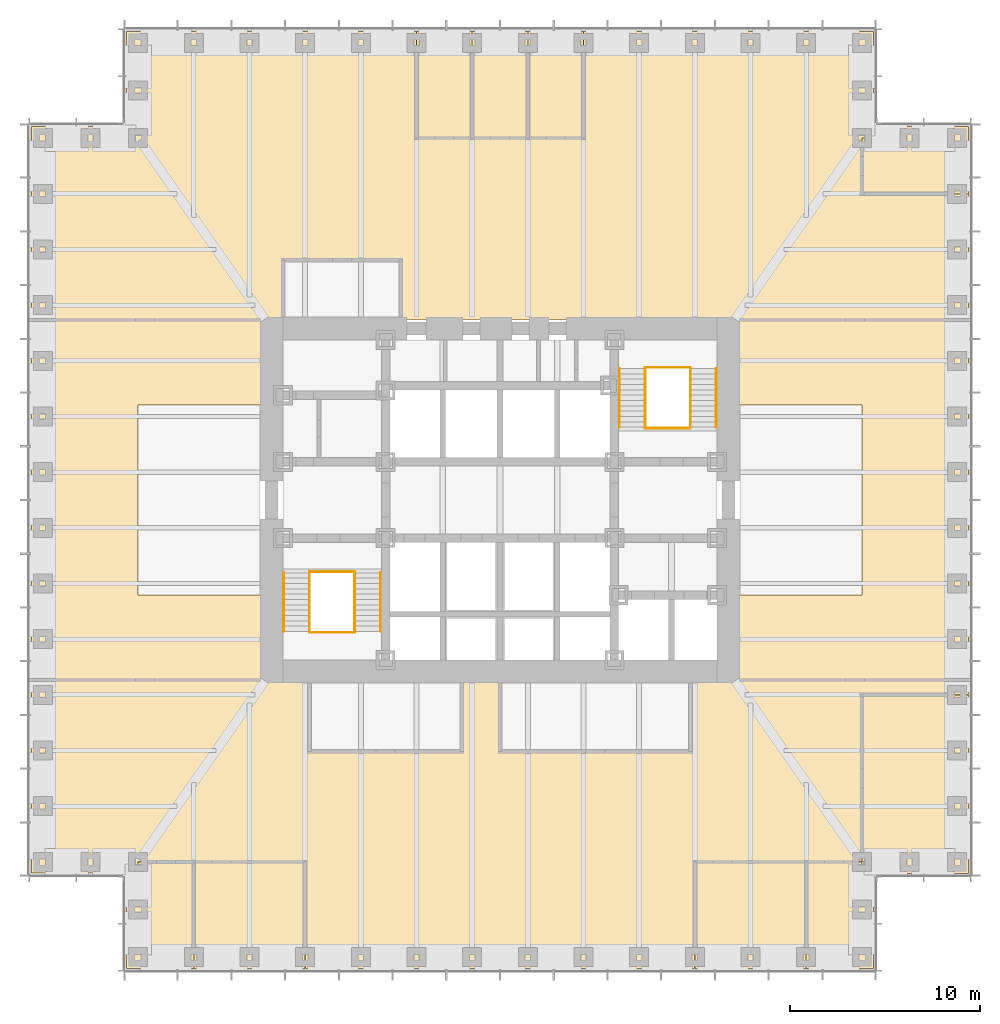
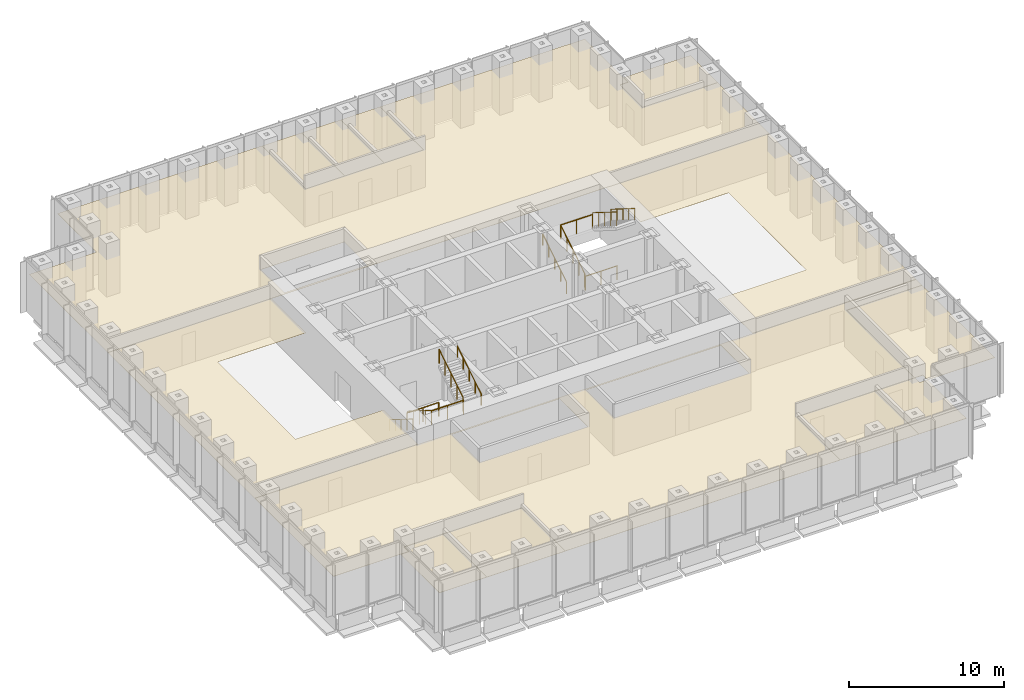
# One storey, part 16 of 16: 13 coverings, 12 railings.
"""IFC4 building model written with IfcOpenShell, lengths in metres."""

from ifc_helpers import new_model, si_unit, direction, frame, origin, origin_2d, place, context, subcontext, project, spatial, polyline, circle, outline, extrude, material, layer, layer_set, type_object, element, save


model = new_model("IFC4")

# Units and contexts
model_context = context("Model", 3, precision=1e-05, world=origin(), true_north=direction((0.0, 1.0)))
body_context = subcontext(model_context, "Body", "Model", "MODEL_VIEW")
ifc_project = project(units=[si_unit("LENGTHUNIT", "METRE"), si_unit("AREAUNIT", "SQUARE_METRE"), si_unit("VOLUMEUNIT", "CUBIC_METRE"), si_unit("PLANEANGLEUNIT", "RADIAN"), si_unit("MASSUNIT", "GRAM", prefix="KILO")], contexts=[model_context])

# Site, building, storey
site_placement = place(None, origin())
site = spatial("IfcSite", under=ifc_project, at=site_placement, CompositionType="ELEMENT")
building_placement = place(site_placement, origin())
building = spatial("IfcBuilding", under=site, at=building_placement, Name="Daluyong Arena Tower", CompositionType="ELEMENT")
storey_placement = place(building_placement, frame((0.0, 0.0, 39.10009765625)))
storey = spatial("IfcBuildingStorey", under=building, at=storey_placement, Name="L07", CompositionType="ELEMENT", Elevation=39.10009765625)

# Coverings
ifc_material_1 = material(Name="Mineral fibre ceiling tile", Category="gypsum board")
ifc_layer = layer(ifc_material_1, 0.02001953125)
ifc_layer_set = layer_set([ifc_layer], Name="Mineral fibre ceiling tile")
covering_type = type_object("IfcCoveringType", Name="Office ceiling", PredefinedType="CEILING", material=ifc_layer_set)
covering_1_placement = place(storey_placement, frame((0.0, 0.0, 2.89990234375)))
element("IfcCovering", 1, at=covering_1_placement, inside=storey, type_object=covering_type, Name="ceiling L07-01", PredefinedType="CEILING", context=body_context, shape_type="SweptSolid", body=[
    extrude(outline(polyline([(36.39990234375, 60.39990234375), (36.39990234375, 55.39990234375), (39.923095703125, 55.39990234375), (39.923095703125, 61.0), (37.0, 61.0), (37.0, 60.39990234375), (36.39990234375, 60.39990234375)])), origin(), (0.0, 0.0, 1.0), 0.02001953125),
])
covering_2_placement = place(storey_placement, frame((0.0, 0.0, 2.89990234375)))
element("IfcCovering", 2, at=covering_2_placement, inside=storey, type_object=covering_type, Name="ceiling L07-02", PredefinedType="CEILING", context=body_context, shape_type="SweptSolid", body=[
    extrude(outline(polyline([(39.923095703125, 61.0), (39.923095703125, 55.39990234375), (45.769287109375, 55.39990234375), (45.769287109375, 61.0), (39.923095703125, 61.0)])), origin(), (0.0, 0.0, 1.0), 0.02001953125),
])
covering_3_placement = place(storey_placement, frame((0.0, 0.0, 2.89990234375)))
element("IfcCovering", 3, at=covering_3_placement, inside=storey, type_object=covering_type, Name="ceiling L07-03", PredefinedType="CEILING", context=body_context, shape_type="SweptSolid", body=[
    extrude(outline(polyline([(66.230712890625, 61.0), (66.230712890625, 55.39990234375), (72.076904296875, 55.39990234375), (72.076904296875, 61.0), (66.230712890625, 61.0)])), origin(), (0.0, 0.0, 1.0), 0.02001953125),
])
covering_4_placement = place(storey_placement, frame((0.0, 0.0, 2.89990234375)))
element("IfcCovering", 4, at=covering_4_placement, inside=storey, type_object=covering_type, Name="ceiling L07-04", PredefinedType="CEILING", context=body_context, shape_type="SweptSolid", body=[
    extrude(outline(polyline([(75.60009765625, 55.39990234375), (75.60009765625, 60.39990234375), (75.0, 60.39990234375), (75.0, 61.0), (72.076904296875, 61.0), (72.076904296875, 55.39990234375), (75.60009765625, 55.39990234375)])), origin(), (0.0, 0.0, 1.0), 0.02001953125),
])
covering_5_placement = place(storey_placement, frame((0.0, 0.0, 2.89990234375)))
element("IfcCovering", 5, at=covering_5_placement, inside=storey, type_object=covering_type, Name="ceiling L07-05", PredefinedType="CEILING", context=body_context, shape_type="SweptSolid", body=[
    extrude(outline(polyline([(75.60009765625, 60.39990234375), (80.60009765625, 60.39990234375), (80.60009765625, 69.769287109375), (75.0, 69.769287109375), (75.0, 61.0), (75.60009765625, 61.0), (75.60009765625, 60.39990234375)])), origin(), (0.0, 0.0, 1.0), 0.02001953125),
])
covering_6_placement = place(storey_placement, frame((0.0, 0.0, 2.89990234375)))
element("IfcCovering", 6, at=covering_6_placement, inside=storey, type_object=covering_type, Name="ceiling L07-06", PredefinedType="CEILING", context=body_context, shape_type="SweptSolid", body=[
    extrude(outline(polyline([(75.0, 96.076904296875), (80.60009765625, 96.076904296875), (80.60009765625, 99.60009765625), (75.60009765625, 99.60009765625), (75.60009765625, 99.0), (75.0, 99.0), (75.0, 96.076904296875)])), origin(), (0.0, 0.0, 1.0), 0.02001953125),
])
covering_7_placement = place(storey_placement, frame((0.0, 0.0, 2.89990234375)))
element("IfcCovering", 7, at=covering_7_placement, inside=storey, type_object=covering_type, Name="ceiling L07-07", PredefinedType="CEILING", context=body_context, shape_type="SweptSolid", body=[
    extrude(outline(polyline([(54.53857421875, 99.0), (54.53857421875, 104.60009765625), (51.615478515625, 104.60009765625), (51.615478515625, 99.0), (54.53857421875, 99.0)])), origin(), (0.0, 0.0, 1.0), 0.02001953125),
])
covering_8_placement = place(storey_placement, frame((0.0, 0.0, 2.89990234375)))
element("IfcCovering", 8, at=covering_8_placement, inside=storey, type_object=covering_type, Name="ceiling L07-08", PredefinedType="CEILING", context=body_context, shape_type="SweptSolid", body=[
    extrude(outline(polyline([(57.46142578125, 99.0), (57.46142578125, 104.60009765625), (54.53857421875, 104.60009765625), (54.53857421875, 99.0), (57.46142578125, 99.0)])), origin(), (0.0, 0.0, 1.0), 0.02001953125),
])
covering_9_placement = place(storey_placement, frame((0.0, 0.0, 2.89990234375)))
element("IfcCovering", 9, at=covering_9_placement, inside=storey, type_object=covering_type, Name="ceiling L07-09", PredefinedType="CEILING", context=body_context, shape_type="SweptSolid", body=[
    extrude(outline(polyline([(60.384521484375, 99.0), (60.384521484375, 104.60009765625), (57.46142578125, 104.60009765625), (57.46142578125, 99.0), (60.384521484375, 99.0)])), origin(), (0.0, 0.0, 1.0), 0.02001953125),
])
covering_10_placement = place(storey_placement, frame((0.0, 0.0, 2.89990234375)))
element("IfcCovering", 10, at=covering_10_placement, inside=storey, type_object=covering_type, Name="ceiling L07-15", PredefinedType="CEILING", context=body_context, shape_type="SweptSolid", body=[
    extrude(outline(polyline([(74.989990234375, 61.010009765625), (74.989990234375, 69.779296875), (80.590087890625, 69.779296875), (80.590087890625, 70.5400390625), (31.409912109375, 70.5400390625), (31.409912109375, 60.409912109375), (36.989990234375, 60.409912109375), (36.989990234375, 61.010009765625), (45.779296875, 61.010009765625), (45.779296875, 55.409912109375), (66.220703125, 55.409912109375), (66.220703125, 61.010009765625), (74.989990234375, 61.010009765625)]), holes=[polyline([(66.010009765625, 70.409912109375), (66.010009765625, 66.7900390625), (55.989990234375, 66.7900390625), (55.989990234375, 70.409912109375), (66.010009765625, 70.409912109375)]), polyline([(54.010009765625, 66.7900390625), (45.989990234375, 66.7900390625), (45.989990234375, 70.409912109375), (54.010009765625, 70.409912109375), (54.010009765625, 66.7900390625)])]), origin(), (0.0, 0.0, 1.0), 0.02001953125),
])
covering_11_placement = place(storey_placement, frame((0.0, 0.0, 2.89990234375)))
element("IfcCovering", 11, at=covering_11_placement, inside=storey, type_object=covering_type, Name="ceiling L07-16", PredefinedType="CEILING", context=body_context, shape_type="SweptSolid", body=[
    extrude(outline(polyline([(80.60009765625, 70.550048828125), (80.60009765625, 89.449951171875), (68.449951171875, 89.449951171875), (68.449951171875, 85.0), (75.0, 85.0), (75.0, 75.0), (68.449951171875, 75.0), (68.449951171875, 70.550048828125), (80.60009765625, 70.550048828125)])), origin(), (0.0, 0.0, 1.0), 0.02001953125),
])
covering_12_placement = place(storey_placement, frame((0.0, 0.0, 2.89990234375)))
element("IfcCovering", 12, at=covering_12_placement, inside=storey, type_object=covering_type, Name="ceiling L07-17", PredefinedType="CEILING", context=body_context, shape_type="SweptSolid", body=[
    extrude(outline(polyline([(36.39990234375, 104.60009765625), (36.39990234375, 99.60009765625), (31.39990234375, 99.60009765625), (31.39990234375, 89.449951171875), (80.60009765625, 89.449951171875), (80.60009765625, 96.076904296875), (75.0, 96.076904296875), (75.0, 99.0), (75.60009765625, 99.0), (75.60009765625, 104.60009765625), (60.384521484375, 104.60009765625), (60.384521484375, 99.0), (51.615478515625, 99.0), (51.615478515625, 104.60009765625), (36.39990234375, 104.60009765625)]), holes=[polyline([(50.800048828125, 89.60009765625), (44.60009765625, 89.60009765625), (44.60009765625, 92.60009765625), (50.800048828125, 92.60009765625), (50.800048828125, 89.60009765625)])]), origin(), (0.0, 0.0, 1.0), 0.02001953125),
])
covering_13_placement = place(storey_placement, frame((0.0, 0.0, 2.89990234375)))
element("IfcCovering", 13, at=covering_13_placement, inside=storey, type_object=covering_type, Name="ceiling L07-18", PredefinedType="CEILING", context=body_context, shape_type="SweptSolid", body=[
    extrude(outline(polyline([(31.39990234375, 89.449951171875), (31.39990234375, 70.550048828125), (43.550048828125, 70.550048828125), (43.550048828125, 75.0), (37.0, 75.0), (37.0, 85.0), (43.550048828125, 85.0), (43.550048828125, 89.449951171875), (31.39990234375, 89.449951171875)])), origin(), (0.0, 0.0, 1.0), 0.02001953125),
])

# Railings
ifc_material_2 = material(Name="Stainless steel handrail", Category="steel")
railing_type_1 = type_object("IfcRailingType", Name="Stair handrail", PredefinedType="HANDRAIL", material=ifc_material_2)
railing_1_placement = place(storey_placement, frame((44.64990234375, 76.175048828125, 0.1748046875)))
element("IfcRailing", 14, at=railing_1_placement, inside=storey, type_object=railing_type_1, Name="exit stair A handrail L07", PredefinedType="HANDRAIL", context=body_context, shape_type="SweptSolid", body=[
    extrude(circle(Radius=0.02392578125, at=origin_2d()), frame((0.0, 0.0, 0.8759765625), z_axis=(0.0, -0.847998304005, 0.529998940003), x_axis=(1.0, 0.0, 0.0)), (0.0, 0.0, 1.0), 3.632080078125),
    extrude(circle(Radius=0.02099609375, at=origin_2d()), origin(), (0.0, 0.0, 1.0), 0.851806640625),
    extrude(circle(Radius=0.02099609375, at=origin_2d()), frame((0.0, -0.77001953125, 0.481201171875)), (0.0, 0.0, 1.0), 0.851806640625),
    extrude(circle(Radius=0.02099609375, at=origin_2d()), frame((0.0, -1.5400390625, 0.96240234375)), (0.0, 0.0, 1.0), 0.851806640625),
    extrude(circle(Radius=0.02099609375, at=origin_2d()), frame((0.0, -2.31005859375, 1.44384765625)), (0.0, 0.0, 1.0), 0.851806640625),
    extrude(circle(Radius=0.02099609375, at=origin_2d()), frame((0.0, -3.080078125, 1.925048828125)), (0.0, 0.0, 1.0), 0.851806640625),
])
for number, where, name in (
    (15, (49.72509765625, 73.094970703125, 2.27490234375), "exit stair A handrail L07"),
    (16, (62.27490234375, 83.824951171875, 0.1748046875), "exit stair B handrail L07"),
):
    element("IfcRailing", number, at=place(storey_placement, frame(where)), inside=storey, type_object=railing_type_1, Name=name, PredefinedType="HANDRAIL", context=body_context, shape_type="SweptSolid", body=[
        extrude(circle(Radius=0.02392578125, at=origin_2d()), frame((0.0, 0.0, 0.8759765625), z_axis=(0.0, 0.847998304005, 0.529998940003), x_axis=(-1.0, 0.0, 0.0)), (0.0, 0.0, 1.0), 3.632080078125),
        extrude(circle(Radius=0.02099609375, at=origin_2d()), origin(), (0.0, 0.0, 1.0), 0.851806640625),
        extrude(circle(Radius=0.02099609375, at=origin_2d()), frame((0.0, 0.77001953125, 0.481201171875)), (0.0, 0.0, 1.0), 0.851806640625),
        extrude(circle(Radius=0.02099609375, at=origin_2d()), frame((0.0, 1.5400390625, 0.96240234375)), (0.0, 0.0, 1.0), 0.851806640625),
        extrude(circle(Radius=0.02099609375, at=origin_2d()), frame((0.0, 2.31005859375, 1.44384765625)), (0.0, 0.0, 1.0), 0.851806640625),
        extrude(circle(Radius=0.02099609375, at=origin_2d()), frame((0.0, 3.080078125, 1.925048828125)), (0.0, 0.0, 1.0), 0.851806640625),
    ])
railing_2_placement = place(storey_placement, frame((67.35009765625, 86.905029296875, 2.27490234375)))
element("IfcRailing", 17, at=railing_2_placement, inside=storey, type_object=railing_type_1, Name="exit stair B handrail L07", PredefinedType="HANDRAIL", context=body_context, shape_type="SweptSolid", body=[
    extrude(circle(Radius=0.02392578125, at=origin_2d()), frame((0.0, 0.0, 0.8759765625), z_axis=(0.0, -0.847998304005, 0.529998940003), x_axis=(1.0, 0.0, 0.0)), (0.0, 0.0, 1.0), 3.632080078125),
    extrude(circle(Radius=0.02099609375, at=origin_2d()), origin(), (0.0, 0.0, 1.0), 0.851806640625),
    extrude(circle(Radius=0.02099609375, at=origin_2d()), frame((0.0, -0.77001953125, 0.481201171875)), (0.0, 0.0, 1.0), 0.851806640625),
    extrude(circle(Radius=0.02099609375, at=origin_2d()), frame((0.0, -1.5400390625, 0.96240234375)), (0.0, 0.0, 1.0), 0.851806640625),
    extrude(circle(Radius=0.02099609375, at=origin_2d()), frame((0.0, -2.31005859375, 1.44384765625)), (0.0, 0.0, 1.0), 0.851806640625),
    extrude(circle(Radius=0.02099609375, at=origin_2d()), frame((0.0, -3.080078125, 1.925048828125)), (0.0, 0.0, 1.0), 0.851806640625),
])
ifc_material_3 = material(Name="Steel balustrade", Category="steel")
railing_type_2 = type_object("IfcRailingType", Name="Stair well guard 1100", PredefinedType="GUARDRAIL", material=ifc_material_3)
railing_3_placement = place(storey_placement, frame((46.0, 76.175048828125, 0.1748046875)))
element("IfcRailing", 18, at=railing_3_placement, inside=storey, type_object=railing_type_2, Name="exit stair A well guard L07", PredefinedType="GUARDRAIL", context=body_context, shape_type="SweptSolid", body=[
    extrude(circle(Radius=0.02392578125, at=origin_2d()), frame((0.0, 0.0, 1.076171875), z_axis=(0.0, -0.847998304005, 0.529998940003), x_axis=(1.0, 0.0, 0.0)), (0.0, 0.0, 1.0), 3.632080078125),
    extrude(circle(Radius=0.02099609375, at=origin_2d()), origin(), (0.0, 0.0, 1.0), 1.052001953125),
    extrude(circle(Radius=0.02099609375, at=origin_2d()), frame((0.0, -0.77001953125, 0.481201171875)), (0.0, 0.0, 1.0), 1.052001953125),
    extrude(circle(Radius=0.02099609375, at=origin_2d()), frame((0.0, -1.5400390625, 0.96240234375)), (0.0, 0.0, 1.0), 1.052001953125),
    extrude(circle(Radius=0.02099609375, at=origin_2d()), frame((0.0, -2.31005859375, 1.44384765625)), (0.0, 0.0, 1.0), 1.052001953125),
    extrude(circle(Radius=0.02099609375, at=origin_2d()), frame((0.0, -3.080078125, 1.925048828125)), (0.0, 0.0, 1.0), 1.052001953125),
])
railing_4_placement = place(storey_placement, frame((48.375, 73.094970703125, 2.27490234375)))
element("IfcRailing", 19, at=railing_4_placement, inside=storey, type_object=railing_type_2, Name="exit stair A well guard L07", PredefinedType="GUARDRAIL", context=body_context, shape_type="SweptSolid", body=[
    extrude(circle(Radius=0.02392578125, at=origin_2d()), frame((0.0, 0.0, 1.076171875), z_axis=(0.0, 0.847998304005, 0.529998940003), x_axis=(-1.0, 0.0, 0.0)), (0.0, 0.0, 1.0), 3.632080078125),
    extrude(circle(Radius=0.02099609375, at=origin_2d()), origin(), (0.0, 0.0, 1.0), 1.052001953125),
    extrude(circle(Radius=0.02099609375, at=origin_2d()), frame((0.0, 0.77001953125, 0.481201171875)), (0.0, 0.0, 1.0), 1.052001953125),
    extrude(circle(Radius=0.02099609375, at=origin_2d()), frame((0.0, 1.5400390625, 0.96240234375)), (0.0, 0.0, 1.0), 1.052001953125),
    extrude(circle(Radius=0.02099609375, at=origin_2d()), frame((0.0, 2.31005859375, 1.44384765625)), (0.0, 0.0, 1.0), 1.052001953125),
    extrude(circle(Radius=0.02099609375, at=origin_2d()), frame((0.0, 3.080078125, 1.925048828125)), (0.0, 0.0, 1.0), 1.052001953125),
])
for number, where, name in (
    (20, (46.0, 73.044921875, 2.099853515625), "exit stair A landing guard L07"),
    (21, (46.0, 76.22509765625, 0.0), "exit stair A floor landing guard L07"),
):
    element("IfcRailing", number, at=place(storey_placement, frame(where)), inside=storey, type_object=railing_type_2, Name=name, PredefinedType="GUARDRAIL", context=body_context, shape_type="SweptSolid", body=[
        extrude(circle(Radius=0.02392578125, at=origin_2d()), frame((0.0, 0.0, 1.076171875), z_axis=(1.0, 0.0, 0.0), x_axis=(0.0, 1.0, 0.0)), (0.0, 0.0, 1.0), 2.375),
        extrude(circle(Radius=0.02099609375, at=origin_2d()), origin(), (0.0, 0.0, 1.0), 1.052001953125),
        extrude(circle(Radius=0.02099609375, at=origin_2d()), frame((1.1875, 0.0, 0.0)), (0.0, 0.0, 1.0), 1.052001953125),
        extrude(circle(Radius=0.02099609375, at=origin_2d()), frame((2.375, 0.0, 0.0)), (0.0, 0.0, 1.0), 1.052001953125),
    ])
railing_5_placement = place(storey_placement, frame((63.625, 83.824951171875, 0.1748046875)))
element("IfcRailing", 22, at=railing_5_placement, inside=storey, type_object=railing_type_2, Name="exit stair B well guard L07", PredefinedType="GUARDRAIL", context=body_context, shape_type="SweptSolid", body=[
    extrude(circle(Radius=0.02392578125, at=origin_2d()), frame((0.0, 0.0, 1.076171875), z_axis=(0.0, 0.847998304005, 0.529998940003), x_axis=(-1.0, 0.0, 0.0)), (0.0, 0.0, 1.0), 3.632080078125),
    extrude(circle(Radius=0.02099609375, at=origin_2d()), origin(), (0.0, 0.0, 1.0), 1.052001953125),
    extrude(circle(Radius=0.02099609375, at=origin_2d()), frame((0.0, 0.77001953125, 0.481201171875)), (0.0, 0.0, 1.0), 1.052001953125),
    extrude(circle(Radius=0.02099609375, at=origin_2d()), frame((0.0, 1.5400390625, 0.96240234375)), (0.0, 0.0, 1.0), 1.052001953125),
    extrude(circle(Radius=0.02099609375, at=origin_2d()), frame((0.0, 2.31005859375, 1.44384765625)), (0.0, 0.0, 1.0), 1.052001953125),
    extrude(circle(Radius=0.02099609375, at=origin_2d()), frame((0.0, 3.080078125, 1.925048828125)), (0.0, 0.0, 1.0), 1.052001953125),
])
railing_6_placement = place(storey_placement, frame((66.0, 86.905029296875, 2.27490234375)))
element("IfcRailing", 23, at=railing_6_placement, inside=storey, type_object=railing_type_2, Name="exit stair B well guard L07", PredefinedType="GUARDRAIL", context=body_context, shape_type="SweptSolid", body=[
    extrude(circle(Radius=0.02392578125, at=origin_2d()), frame((0.0, 0.0, 1.076171875), z_axis=(0.0, -0.847998304005, 0.529998940003), x_axis=(1.0, 0.0, 0.0)), (0.0, 0.0, 1.0), 3.632080078125),
    extrude(circle(Radius=0.02099609375, at=origin_2d()), origin(), (0.0, 0.0, 1.0), 1.052001953125),
    extrude(circle(Radius=0.02099609375, at=origin_2d()), frame((0.0, -0.77001953125, 0.481201171875)), (0.0, 0.0, 1.0), 1.052001953125),
    extrude(circle(Radius=0.02099609375, at=origin_2d()), frame((0.0, -1.5400390625, 0.96240234375)), (0.0, 0.0, 1.0), 1.052001953125),
    extrude(circle(Radius=0.02099609375, at=origin_2d()), frame((0.0, -2.31005859375, 1.44384765625)), (0.0, 0.0, 1.0), 1.052001953125),
    extrude(circle(Radius=0.02099609375, at=origin_2d()), frame((0.0, -3.080078125, 1.925048828125)), (0.0, 0.0, 1.0), 1.052001953125),
])
for number, where, name in (
    (24, (63.625, 86.955078125, 2.099853515625), "exit stair B landing guard L07"),
    (25, (63.625, 83.77490234375, 0.0), "exit stair B floor landing guard L07"),
):
    element("IfcRailing", number, at=place(storey_placement, frame(where)), inside=storey, type_object=railing_type_2, Name=name, PredefinedType="GUARDRAIL", context=body_context, shape_type="SweptSolid", body=[
        extrude(circle(Radius=0.02392578125, at=origin_2d()), frame((0.0, 0.0, 1.076171875), z_axis=(1.0, 0.0, 0.0), x_axis=(0.0, 1.0, 0.0)), (0.0, 0.0, 1.0), 2.375),
        extrude(circle(Radius=0.02099609375, at=origin_2d()), origin(), (0.0, 0.0, 1.0), 1.052001953125),
        extrude(circle(Radius=0.02099609375, at=origin_2d()), frame((1.1875, 0.0, 0.0)), (0.0, 0.0, 1.0), 1.052001953125),
        extrude(circle(Radius=0.02099609375, at=origin_2d()), frame((2.375, 0.0, 0.0)), (0.0, 0.0, 1.0), 1.052001953125),
    ])

save(model, "model.ifc")
